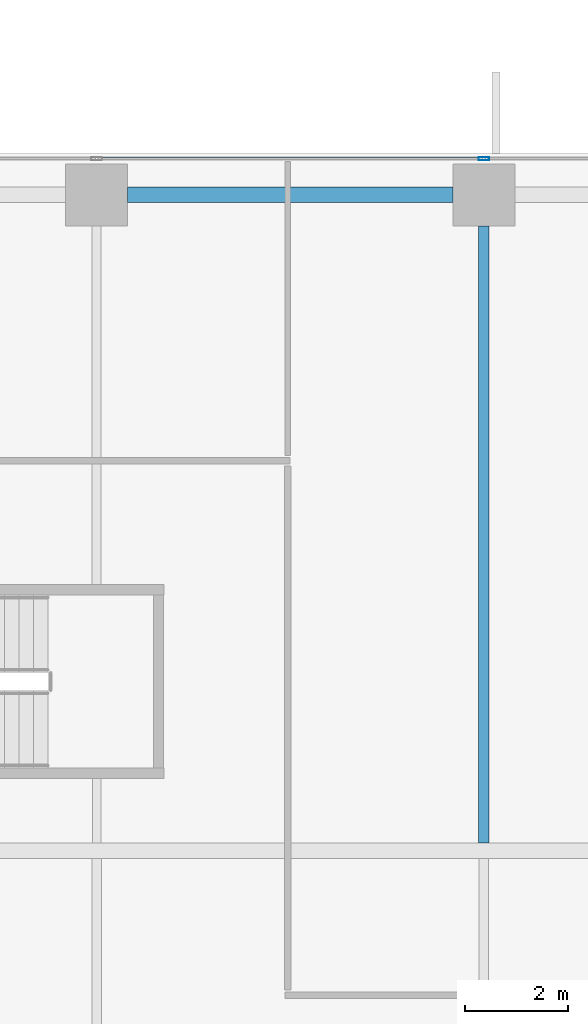
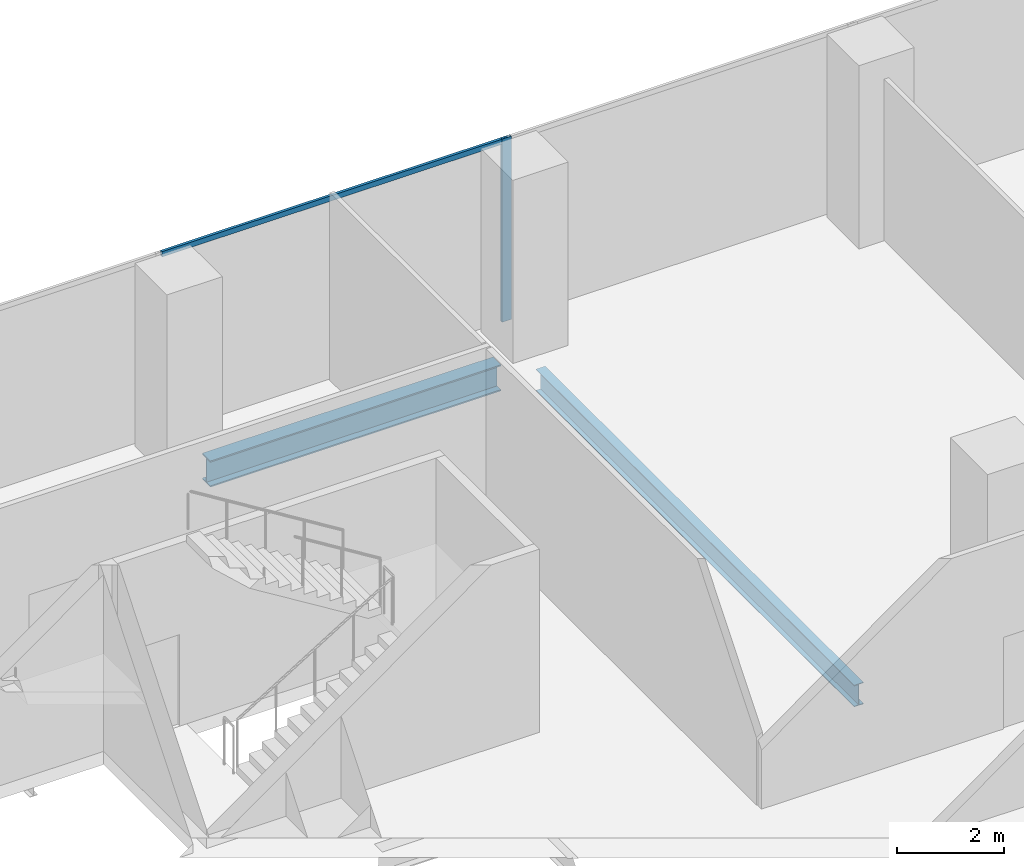
# One storey, part 18 of 33: 2 beams, 2 members, 1 element without a shape of its own.
"""IFC4 building model written with IfcOpenShell, lengths in metres."""

from ifc_helpers import new_model, si_unit, direction, frame, origin, origin_2d, place, context, subcontext, project, spatial, hollow_rectangle, i_section, extrude, source, transform, mapped, material, material_profile, profile_set, type_object, element, aggregate, save


model = new_model("IFC4")

# Units and contexts
model_context = context("Model", 3, precision=1e-05, world=origin(), true_north=direction((0.0, 1.0)))
body_context = subcontext(model_context, "Body", "Model", "MODEL_VIEW")
ifc_project = project(units=[si_unit("LENGTHUNIT", "METRE"), si_unit("AREAUNIT", "SQUARE_METRE"), si_unit("VOLUMEUNIT", "CUBIC_METRE"), si_unit("PLANEANGLEUNIT", "RADIAN"), si_unit("MASSUNIT", "GRAM", prefix="KILO")], contexts=[model_context])

# Site, building, storey
site_placement = place(None, origin())
site = spatial("IfcSite", under=ifc_project, at=site_placement, CompositionType="ELEMENT")
building_placement = place(site_placement, origin())
building = spatial("IfcBuilding", under=site, at=building_placement, Name="Khomas Fold Tower", CompositionType="ELEMENT")
storey_placement = place(building_placement, frame((0.0, 0.0, 82.5)))
storey = spatial("IfcBuildingStorey", under=building, at=storey_placement, Name="L17", CompositionType="ELEMENT", Elevation=82.5)

# Beams
ifc_material_1 = material(Name="Steel S355", Category="steel")
ifc_material_profile_1 = material_profile(ifc_material_1, i_section(OverallWidth=0.300048828125, OverallDepth=0.60009765625, WebThickness=0.015380859375, FlangeThickness=0.030029296875, at=origin_2d()), Name="HE 600 B")
ifc_profile_set_1 = profile_set([ifc_material_profile_1], Name="Steel S355")
beam_type_1 = type_object("IfcBeamType", Name="HE 600 B spandrel SB1", PredefinedType="SPANDREL", material=ifc_profile_set_1)
shared_shape_1 = source(origin(), body_context, "Body", "SweptSolid", [
    extrude(i_section(OverallWidth=0.300048828125, OverallDepth=0.60009765625, WebThickness=0.015380859375, FlangeThickness=0.030029296875, at=origin_2d()), origin(), (0.0, 0.0, 1.0), 6.2998046875),
])
beam_1_placement = place(storey_placement, frame((27.60009765625, 53.199951171875, -0.60009765625), z_axis=(1.0, 0.0, 0.0), x_axis=(0.0, 1.0, 0.0)))
element("IfcBeam", 1, at=beam_1_placement, inside=storey, type_object=beam_type_1, Name="SB1", PredefinedType="SPANDREL", context=body_context, shape_type="MappedRepresentation", body=[
    mapped(shared_shape_1, transform((0.0, 0.0, 0.0))),
])
ifc_material_2 = material(Name="Steel S355", Category="steel")
ifc_material_profile_2 = material_profile(ifc_material_2, i_section(OverallWidth=0.199951171875, OverallDepth=0.5, WebThickness=0.01025390625, FlangeThickness=0.01611328125, at=origin_2d()), Name="IPE 500")
ifc_profile_set_2 = profile_set([ifc_material_profile_2], Name="Steel S355")
beam_type_2 = type_object("IfcBeamType", Name="IPE 500 beam JB5", PredefinedType="BEAM", material=ifc_profile_set_2)
shared_shape_2 = source(origin(), body_context, "Body", "SweptSolid", [
    extrude(i_section(OverallWidth=0.199951171875, OverallDepth=0.5, WebThickness=0.01025390625, FlangeThickness=0.01611328125, at=origin_2d()), origin(), (0.0, 0.0, 1.0), 11.9501953125),
])
beam_2_placement = place(storey_placement, frame((34.5, 40.64990234375, -0.550048828125), z_axis=(0.0, 1.0, 0.0), x_axis=(-1.0, 0.0, 0.0)))
element("IfcBeam", 2, at=beam_2_placement, inside=storey, type_object=beam_type_2, Name="JB5", PredefinedType="BEAM", context=body_context, shape_type="MappedRepresentation", body=[
    mapped(shared_shape_2, transform((0.0, 0.0, 0.0))),
])

# Curtain wall, members
ifc_material_3 = material(Name="Aluminium framed double glazing", Category="aluminium")
curtain_wall_type = type_object("IfcCurtainWallType", Name="SK-Unitised clear-glass wall, growing floors CW1", PredefinedType="NOTDEFINED", material=ifc_material_3)
curtain_wall_placement = place(storey_placement, origin())
curtain_wall = element("IfcCurtainWall", 3, at=curtain_wall_placement, inside=storey, type_object=curtain_wall_type, Name="CW1 run L17 06-0", PredefinedType="NOTDEFINED")
ifc_material_4 = material(Name="Aluminium", Category="aluminium")
ifc_material_profile_3 = material_profile(ifc_material_4, hollow_rectangle(XDim=0.06005859375, YDim=0.1201171875, WallThickness=0.00390625, at=origin_2d()), Name="SK-Unitised clear-glass wall, growing floors transom CW1-T")
ifc_profile_set_3 = profile_set([ifc_material_profile_3], Name="Aluminium")
member_type_1 = type_object("IfcMemberType", Name="SK-Unitised clear-glass wall, growing floors transom CW1-T", PredefinedType="USERDEFINED", material=ifc_profile_set_3)
shared_shape_3 = source(origin(), body_context, "Body", "SweptSolid", [
    extrude(hollow_rectangle(XDim=0.06005859375, YDim=0.1201171875, WallThickness=0.00390625, at=origin_2d()), origin(), (0.0, 0.0, 1.0), 7.43994140625),
])
member_1_placement = place(storey_placement, frame((34.469970703125, 53.89990234375, 4.139892578125), z_axis=(-1.0, 0.0, 0.0), x_axis=(0.0, -1.0, 0.0)))
member_1 = element("IfcMember", 4, at=member_1_placement, type_object=member_type_1, Name="CW1 transom 4", ObjectType="TRANSOM", PredefinedType="USERDEFINED", context=body_context, shape_type="MappedRepresentation", body=[
    mapped(shared_shape_3, transform((0.0, 0.0, 0.0))),
])
ifc_material_5 = material(Name="Aluminium", Category="aluminium")
ifc_material_profile_4 = material_profile(ifc_material_5, hollow_rectangle(XDim=0.06005859375, YDim=0.199951171875, WallThickness=0.00390625, at=origin_2d()), Name="SK-Unitised clear-glass wall, growing floors mullion CW1-M")
ifc_profile_set_4 = profile_set([ifc_material_profile_4], Name="Aluminium")
member_type_2 = type_object("IfcMemberType", Name="SK-Unitised clear-glass wall, growing floors mullion CW1-M", PredefinedType="MULLION", material=ifc_profile_set_4)
shared_shape_4 = source(origin(), body_context, "Body", "SweptSolid", [
    extrude(hollow_rectangle(XDim=0.06005859375, YDim=0.199951171875, WallThickness=0.00390625, at=origin_2d()), origin(), (0.0, 0.0, 1.0), 4.199951171875),
])
member_2_placement = place(storey_placement, frame((34.5, 53.89990234375, 0.0), z_axis=(0.0, 0.0, 1.0), x_axis=(0.0, -1.0, 0.0)))
member_2 = element("IfcMember", 5, at=member_2_placement, type_object=member_type_2, Name="CW1 mullion 4", PredefinedType="MULLION", context=body_context, shape_type="MappedRepresentation", body=[
    mapped(shared_shape_4, transform((0.0, 0.0, 0.0))),
])
aggregate(curtain_wall, [member_2, member_1])

save(model, "model.ifc")
